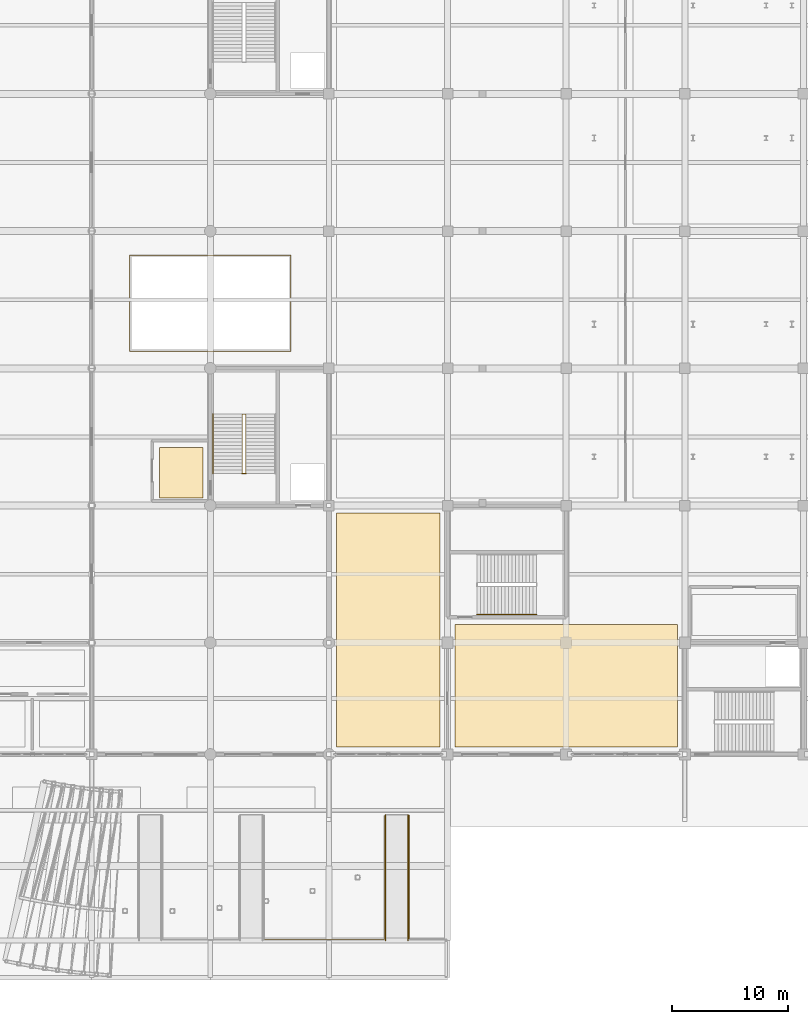
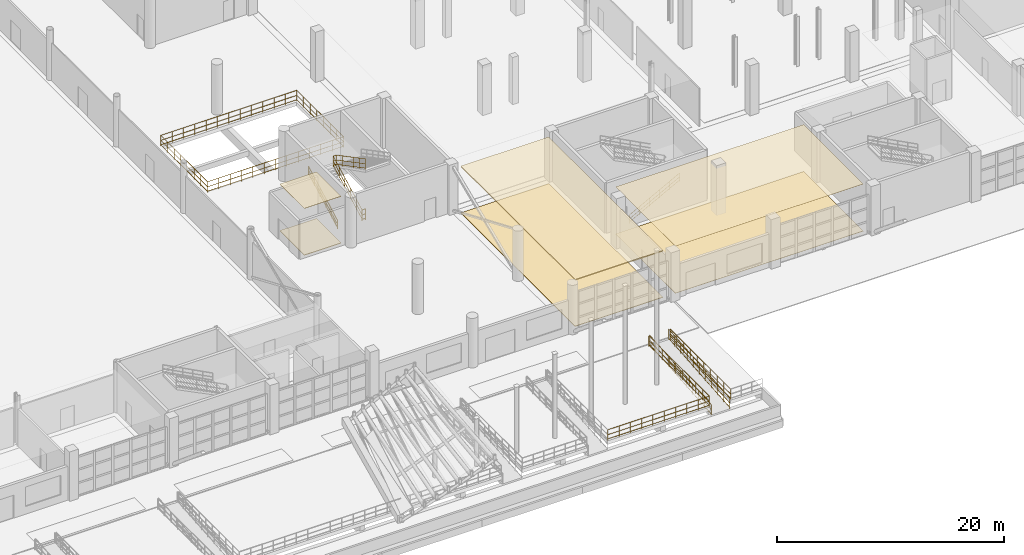
# One storey, part 117 of 124: 9 railings, 6 coverings.
"""IFC4 building model written with IfcOpenShell, lengths in metres."""

from ifc_helpers import new_model, si_unit, direction, frame, origin, origin_2d, place, context, subcontext, project, spatial, polyline, circle, outline, extrude, material, layer, layer_set, type_object, element, save


model = new_model("IFC4")

# Units and contexts
model_context = context("Model", 3, precision=1e-05, world=origin(), true_north=direction((0.0, 1.0)))
body_context = subcontext(model_context, "Body", "Model", "MODEL_VIEW")
ifc_project = project(units=[si_unit("LENGTHUNIT", "METRE"), si_unit("AREAUNIT", "SQUARE_METRE"), si_unit("VOLUMEUNIT", "CUBIC_METRE"), si_unit("PLANEANGLEUNIT", "RADIAN"), si_unit("MASSUNIT", "GRAM", prefix="KILO")], contexts=[model_context])

# Site, building, storey
site_placement = place(None, origin())
site = spatial("IfcSite", under=ifc_project, at=site_placement, CompositionType="ELEMENT")
building_placement = place(site_placement, origin())
building = spatial("IfcBuilding", under=site, at=building_placement, Name="Brelvane Convention Centre", CompositionType="ELEMENT")
storey_placement = place(building_placement, origin())
storey = spatial("IfcBuildingStorey", under=building, at=storey_placement, Name="L00", CompositionType="ELEMENT", Elevation=0.0)

# Coverings
ifc_material_1 = material(Name="Perforated Anodised Aluminium Alloy 6063 Acoustic Baffle", Category="aluminium")
ifc_layer_1 = layer(ifc_material_1, 0.110107421875)
ifc_layer_set_1 = layer_set([ifc_layer_1], Name="Perforated Anodised Aluminium Alloy 6063 Acoustic Baffle")
covering_type_1 = type_object("IfcCoveringType", Name="Interior Finish CL-BAF-110", PredefinedType="CEILING", material=ifc_layer_set_1)
covering_1_placement = place(storey_placement, frame((0.0, 0.0, 4.969970703125)))
element("IfcCovering", 1, at=covering_1_placement, inside=storey, type_object=covering_type_1, Name="Boulevard All-Day Cafe Acoustic Ceiling (CL-BAF-110)", PredefinedType="CEILING", context=body_context, shape_type="SweptSolid", body=[
    extrude(outline(polyline([(163.830078125, 19.830078125), (172.77001953125, 19.830078125), (172.77001953125, 39.969970703125), (163.830078125, 39.969970703125), (163.830078125, 19.830078125)])), origin(), (0.0, 0.0, 1.0), 0.110107421875),
])
ifc_material_2 = material(Name="Moisture-Resistant Acoustic Gypsum Ceiling Tile Grade A")
ifc_layer_2 = layer(ifc_material_2, 0.01806640625)
ifc_layer_set_2 = layer_set([ifc_layer_2], Name="Moisture-Resistant Acoustic Gypsum Ceiling Tile Grade A")
covering_type_2 = type_object("IfcCoveringType", Name="Interior Finish CL-GYP-18", PredefinedType="CEILING", material=ifc_layer_set_2)
covering_2_placement = place(storey_placement, frame((0.0, 0.0, 5.06201171875)))
element("IfcCovering", 2, at=covering_2_placement, inside=storey, type_object=covering_type_2, Name="Delegate Restaurant Ground Acoustic Ceiling (CL-GYP-18)", PredefinedType="CEILING", context=body_context, shape_type="SweptSolid", body=[
    extrude(outline(polyline([(174.030029296875, 19.830078125), (193.169921875, 19.830078125), (193.169921875, 30.3701171875), (174.030029296875, 30.3701171875), (174.030029296875, 19.830078125)])), origin(), (0.0, 0.0, 1.0), 0.01806640625),
])
ifc_material_3 = material(Name="Moisture-Resistant Acoustic Gypsum Ceiling Tile Grade A")
ifc_layer_3 = layer(ifc_material_3, 0.0419921875)
ifc_layer_set_3 = layer_set([ifc_layer_3], Name="Moisture-Resistant Acoustic Gypsum Ceiling Tile Grade A")
covering_type_3 = type_object("IfcCoveringType", Name="Interior Finish CL-GYP-42", PredefinedType="CEILING", material=ifc_layer_set_3)
covering_3_placement = place(storey_placement, frame((0.0, 0.0, 5.028076171875)))
element("IfcCovering", 3, at=covering_3_placement, inside=storey, type_object=covering_type_3, Name="Firefighting Lift Lobby C3 Acoustic Ceiling (CL-GYP-42)", PredefinedType="CEILING", context=body_context, shape_type="SweptSolid", body=[
    extrude(outline(polyline([(148.6298828125, 41.22998046875), (152.3701171875, 41.22998046875), (152.3701171875, 45.570068359375), (148.6298828125, 45.570068359375), (148.6298828125, 41.22998046875)])), origin(), (0.0, 0.0, 1.0), 0.0419921875),
])
ifc_material_4 = material(Name="Solution-Dyed Heavy Contract Wool Carpet Class 1")
ifc_layer_4 = layer(ifc_material_4, 0.02197265625)
ifc_layer_set_4 = layer_set([ifc_layer_4], Name="Solution-Dyed Heavy Contract Wool Carpet Class 1")
covering_type_4 = type_object("IfcCoveringType", Name="Interior Finish FL-CPT-22", PredefinedType="FLOORING", material=ifc_layer_set_4)
covering_4_placement = place(storey_placement, origin())
element("IfcCovering", 4, at=covering_4_placement, inside=storey, type_object=covering_type_4, Name="Delegate Restaurant Ground Floor Finish (FL-CPT-22)", PredefinedType="FLOORING", context=body_context, shape_type="SweptSolid", body=[
    extrude(outline(polyline([(174.030029296875, 19.830078125), (193.169921875, 19.830078125), (193.169921875, 30.3701171875), (174.030029296875, 30.3701171875), (174.030029296875, 19.830078125)])), origin(), (0.0, 0.0, 1.0), 0.02197265625),
])
ifc_material_5 = material(Name="Heavy-Duty Quartz-Filled Industrial Epoxy Screed Grade A")
ifc_layer_5 = layer(ifc_material_5, 0.044921875)
ifc_layer_set_5 = layer_set([ifc_layer_5], Name="Heavy-Duty Quartz-Filled Industrial Epoxy Screed Grade A")
covering_type_5 = type_object("IfcCoveringType", Name="Interior Finish FL-EPX-45", PredefinedType="FLOORING", material=ifc_layer_set_5)
covering_5_placement = place(storey_placement, origin())
element("IfcCovering", 5, at=covering_5_placement, inside=storey, type_object=covering_type_5, Name="Boulevard All-Day Cafe Floor Finish (FL-EPX-45)", PredefinedType="FLOORING", context=body_context, shape_type="SweptSolid", body=[
    extrude(outline(polyline([(163.830078125, 19.830078125), (172.77001953125, 19.830078125), (172.77001953125, 39.969970703125), (163.830078125, 39.969970703125), (163.830078125, 19.830078125)])), origin(), (0.0, 0.0, 1.0), 0.044921875),
])
ifc_material_6 = material(Name="Polished Basalt-Aggregate Terrazzo Screed Concrete M30", Category="masonry")
ifc_layer_6 = layer(ifc_material_6, 0.054931640625)
ifc_layer_set_6 = layer_set([ifc_layer_6], Name="Polished Basalt-Aggregate Terrazzo Screed Concrete M30")
covering_type_6 = type_object("IfcCoveringType", Name="Interior Finish FL-STN-55", PredefinedType="FLOORING", material=ifc_layer_set_6)
covering_6_placement = place(storey_placement, origin())
element("IfcCovering", 6, at=covering_6_placement, inside=storey, type_object=covering_type_6, Name="Firefighting Lift Lobby C3 Floor Finish (FL-STN-55)", PredefinedType="FLOORING", context=body_context, shape_type="SweptSolid", body=[
    extrude(outline(polyline([(148.6298828125, 41.22998046875), (152.3701171875, 41.22998046875), (152.3701171875, 45.570068359375), (148.6298828125, 45.570068359375), (148.6298828125, 41.22998046875)])), origin(), (0.0, 0.0, 1.0), 0.054931640625),
])

# Railings
ifc_material_7 = material(Name="Steel E350 (350 MPa)", Category="steel")
railing_type_1 = type_object("IfcRailingType", Name="Railing BL-ATR-1", PredefinedType="BALUSTRADE", material=ifc_material_7)
railing_1_placement = place(storey_placement, frame((146.080078125, 53.8798828125, 0.0)))
element("IfcRailing", 7, at=railing_1_placement, inside=storey, type_object=railing_type_1, Name="Railing BL-ATR-1 L00-atrium_well_01", PredefinedType="BALUSTRADE", context=body_context, shape_type="SweptSolid", body=[
    extrude(circle(Radius=0.02392578125, at=origin_2d()), frame((0.0, 0.0, 1.15576171875), z_axis=(1.0, 0.0, 0.0), x_axis=(0.0, 1.0, 0.0)), (0.0, 0.0, 1.0), 13.83984375),
    extrude(circle(Radius=0.02392578125, at=origin_2d()), frame((0.0, 0.0, 0.613525390625), z_axis=(1.0, 0.0, 0.0), x_axis=(0.0, 1.0, 0.0)), (0.0, 0.0, 1.0), 13.83984375),
    extrude(circle(Radius=0.02392578125, at=origin_2d()), frame((0.0, 0.0, 0.139892578125), z_axis=(1.0, 0.0, 0.0), x_axis=(0.0, 1.0, 0.0)), (0.0, 0.0, 1.0), 13.83984375),
    extrude(circle(Radius=0.02392578125, at=origin_2d()), frame((13.83984375, 0.0, 1.15576171875), z_axis=(0.0, 1.0, 0.0), x_axis=(-1.0, 0.0, 0.0)), (0.0, 0.0, 1.0), 8.240234375),
    extrude(circle(Radius=0.02392578125, at=origin_2d()), frame((13.83984375, 0.0, 0.613525390625), z_axis=(0.0, 1.0, 0.0), x_axis=(-1.0, 0.0, 0.0)), (0.0, 0.0, 1.0), 8.240234375),
    extrude(circle(Radius=0.02392578125, at=origin_2d()), frame((13.83984375, 0.0, 0.139892578125), z_axis=(0.0, 1.0, 0.0), x_axis=(-1.0, 0.0, 0.0)), (0.0, 0.0, 1.0), 8.240234375),
    extrude(circle(Radius=0.02392578125, at=origin_2d()), frame((13.83984375, 8.240234375, 1.15576171875), z_axis=(-1.0, 0.0, 0.0), x_axis=(0.0, -1.0, 0.0)), (0.0, 0.0, 1.0), 13.83984375),
    extrude(circle(Radius=0.02392578125, at=origin_2d()), frame((13.83984375, 8.240234375, 0.613525390625), z_axis=(-1.0, 0.0, 0.0), x_axis=(0.0, -1.0, 0.0)), (0.0, 0.0, 1.0), 13.83984375),
    extrude(circle(Radius=0.02392578125, at=origin_2d()), frame((13.83984375, 8.240234375, 0.139892578125), z_axis=(-1.0, 0.0, 0.0), x_axis=(0.0, -1.0, 0.0)), (0.0, 0.0, 1.0), 13.83984375),
    extrude(circle(Radius=0.02392578125, at=origin_2d()), frame((0.0, 8.240234375, 1.15576171875), z_axis=(0.0, -1.0, 0.0), x_axis=(1.0, 0.0, 0.0)), (0.0, 0.0, 1.0), 8.235107421875),
    extrude(circle(Radius=0.02392578125, at=origin_2d()), frame((0.0, 8.240234375, 0.613525390625), z_axis=(0.0, -1.0, 0.0), x_axis=(1.0, 0.0, 0.0)), (0.0, 0.0, 1.0), 8.235107421875),
    extrude(circle(Radius=0.02392578125, at=origin_2d()), frame((0.0, 8.240234375, 0.139892578125), z_axis=(0.0, -1.0, 0.0), x_axis=(1.0, 0.0, 0.0)), (0.0, 0.0, 1.0), 8.235107421875),
    extrude(circle(Radius=0.02099609375, at=origin_2d()), origin(), (0.0, 0.0, 1.0), 1.1318359375),
    extrude(circle(Radius=0.02099609375, at=origin_2d()), frame((1.1533203125, 0.0, 0.0)), (0.0, 0.0, 1.0), 1.1318359375),
    extrude(circle(Radius=0.02099609375, at=origin_2d()), frame((2.306640625, 0.0, 0.0)), (0.0, 0.0, 1.0), 1.1318359375),
    extrude(circle(Radius=0.02099609375, at=origin_2d()), frame((3.4599609375, 0.0, 0.0)), (0.0, 0.0, 1.0), 1.1318359375),
    extrude(circle(Radius=0.02099609375, at=origin_2d()), frame((4.61328125, 0.0, 0.0)), (0.0, 0.0, 1.0), 1.1318359375),
    extrude(circle(Radius=0.02099609375, at=origin_2d()), frame((5.7666015625, 0.0, 0.0)), (0.0, 0.0, 1.0), 1.1318359375),
    extrude(circle(Radius=0.02099609375, at=origin_2d()), frame((6.919921875, 0.0, 0.0)), (0.0, 0.0, 1.0), 1.1318359375),
    extrude(circle(Radius=0.02099609375, at=origin_2d()), frame((8.0732421875, 0.0, 0.0)), (0.0, 0.0, 1.0), 1.1318359375),
    extrude(circle(Radius=0.02099609375, at=origin_2d()), frame((9.2265625, 0.0, 0.0)), (0.0, 0.0, 1.0), 1.1318359375),
    extrude(circle(Radius=0.02099609375, at=origin_2d()), frame((10.3798828125, 0.0, 0.0)), (0.0, 0.0, 1.0), 1.1318359375),
    extrude(circle(Radius=0.02099609375, at=origin_2d()), frame((11.533203125, 0.0, 0.0)), (0.0, 0.0, 1.0), 1.1318359375),
    extrude(circle(Radius=0.02099609375, at=origin_2d()), frame((12.6865234375, 0.0, 0.0)), (0.0, 0.0, 1.0), 1.1318359375),
    extrude(circle(Radius=0.02099609375, at=origin_2d()), frame((13.83984375, 0.0, 0.0)), (0.0, 0.0, 1.0), 1.1318359375),
    extrude(circle(Radius=0.02099609375, at=origin_2d()), frame((13.83984375, 1.17724609375, 0.0)), (0.0, 0.0, 1.0), 1.1318359375),
    extrude(circle(Radius=0.02099609375, at=origin_2d()), frame((13.83984375, 2.354248046875, 0.0)), (0.0, 0.0, 1.0), 1.1318359375),
    extrude(circle(Radius=0.02099609375, at=origin_2d()), frame((13.83984375, 3.531494140625, 0.0)), (0.0, 0.0, 1.0), 1.1318359375),
    extrude(circle(Radius=0.02099609375, at=origin_2d()), frame((13.83984375, 4.708740234375, 0.0)), (0.0, 0.0, 1.0), 1.1318359375),
    extrude(circle(Radius=0.02099609375, at=origin_2d()), frame((13.83984375, 5.885986328125, 0.0)), (0.0, 0.0, 1.0), 1.1318359375),
    extrude(circle(Radius=0.02099609375, at=origin_2d()), frame((13.83984375, 7.06298828125, 0.0)), (0.0, 0.0, 1.0), 1.1318359375),
    extrude(circle(Radius=0.02099609375, at=origin_2d()), frame((13.83984375, 8.240234375, 0.0)), (0.0, 0.0, 1.0), 1.1318359375),
    extrude(circle(Radius=0.02099609375, at=origin_2d()), frame((12.6865234375, 8.240234375, 0.0)), (0.0, 0.0, 1.0), 1.1318359375),
    extrude(circle(Radius=0.02099609375, at=origin_2d()), frame((11.533203125, 8.240234375, 0.0)), (0.0, 0.0, 1.0), 1.1318359375),
    extrude(circle(Radius=0.02099609375, at=origin_2d()), frame((10.3798828125, 8.240234375, 0.0)), (0.0, 0.0, 1.0), 1.1318359375),
    extrude(circle(Radius=0.02099609375, at=origin_2d()), frame((9.2265625, 8.240234375, 0.0)), (0.0, 0.0, 1.0), 1.1318359375),
    extrude(circle(Radius=0.02099609375, at=origin_2d()), frame((8.0732421875, 8.240234375, 0.0)), (0.0, 0.0, 1.0), 1.1318359375),
    extrude(circle(Radius=0.02099609375, at=origin_2d()), frame((6.919921875, 8.240234375, 0.0)), (0.0, 0.0, 1.0), 1.1318359375),
    extrude(circle(Radius=0.02099609375, at=origin_2d()), frame((5.7666015625, 8.240234375, 0.0)), (0.0, 0.0, 1.0), 1.1318359375),
    extrude(circle(Radius=0.02099609375, at=origin_2d()), frame((4.61328125, 8.240234375, 0.0)), (0.0, 0.0, 1.0), 1.1318359375),
    extrude(circle(Radius=0.02099609375, at=origin_2d()), frame((3.4599609375, 8.240234375, 0.0)), (0.0, 0.0, 1.0), 1.1318359375),
    extrude(circle(Radius=0.02099609375, at=origin_2d()), frame((2.306640625, 8.240234375, 0.0)), (0.0, 0.0, 1.0), 1.1318359375),
    extrude(circle(Radius=0.02099609375, at=origin_2d()), frame((1.1533203125, 8.240234375, 0.0)), (0.0, 0.0, 1.0), 1.1318359375),
    extrude(circle(Radius=0.02099609375, at=origin_2d()), frame((0.0, 8.240234375, 0.0)), (0.0, 0.0, 1.0), 1.1318359375),
    extrude(circle(Radius=0.02099609375, at=origin_2d()), frame((0.0, 7.063720703125, 0.0)), (0.0, 0.0, 1.0), 1.1318359375),
    extrude(circle(Radius=0.02099609375, at=origin_2d()), frame((0.0, 5.887451171875, 0.0)), (0.0, 0.0, 1.0), 1.1318359375),
    extrude(circle(Radius=0.02099609375, at=origin_2d()), frame((0.0, 4.7109375, 0.0)), (0.0, 0.0, 1.0), 1.1318359375),
    extrude(circle(Radius=0.02099609375, at=origin_2d()), frame((0.0, 3.534423828125, 0.0)), (0.0, 0.0, 1.0), 1.1318359375),
    extrude(circle(Radius=0.02099609375, at=origin_2d()), frame((0.0, 2.35791015625, 0.0)), (0.0, 0.0, 1.0), 1.1318359375),
    extrude(circle(Radius=0.02099609375, at=origin_2d()), frame((0.0, 1.181640625, 0.0)), (0.0, 0.0, 1.0), 1.1318359375),
    extrude(circle(Radius=0.02099609375, at=origin_2d()), frame((0.0, 0.005126953125, 0.0)), (0.0, 0.0, 1.0), 1.1318359375),
])
ifc_material_8 = material(Name="Steel E350 (350 MPa)", Category="steel")
railing_type_2 = type_object("IfcRailingType", Name="Railing GR-EXT-1", PredefinedType="GUARDRAIL", material=ifc_material_8)
railing_2_placement = place(storey_placement, frame((157.60009765625, 3.280029296875, 0.0)))
element("IfcRailing", 8, at=railing_2_placement, inside=storey, type_object=railing_type_2, Name="Railing GR-EXT-1 L00-plaza_step_seg_5", PredefinedType="GUARDRAIL", context=body_context, shape_type="SweptSolid", body=[
    extrude(circle(Radius=0.02392578125, at=origin_2d()), frame((0.0, 0.0, 1.1259765625), z_axis=(1.0, 0.0, 0.0), x_axis=(0.0, 1.0, 0.0)), (0.0, 0.0, 1.0), 10.33984375),
    extrude(circle(Radius=0.02392578125, at=origin_2d()), frame((0.0, 0.0, 0.597900390625), z_axis=(1.0, 0.0, 0.0), x_axis=(0.0, 1.0, 0.0)), (0.0, 0.0, 1.0), 10.33984375),
    extrude(circle(Radius=0.02392578125, at=origin_2d()), frame((0.0, 0.0, 0.139892578125), z_axis=(1.0, 0.0, 0.0), x_axis=(0.0, 1.0, 0.0)), (0.0, 0.0, 1.0), 10.33984375),
    extrude(circle(Radius=0.02392578125, at=origin_2d()), frame((10.33984375, 0.0, 1.1259765625), z_axis=(0.0, 1.0, 0.0), x_axis=(-1.0, 0.0, 0.0)), (0.0, 0.0, 1.0), 10.659912109375),
    extrude(circle(Radius=0.02392578125, at=origin_2d()), frame((10.33984375, 0.0, 0.597900390625), z_axis=(0.0, 1.0, 0.0), x_axis=(-1.0, 0.0, 0.0)), (0.0, 0.0, 1.0), 10.659912109375),
    extrude(circle(Radius=0.02392578125, at=origin_2d()), frame((10.33984375, 0.0, 0.139892578125), z_axis=(0.0, 1.0, 0.0), x_axis=(-1.0, 0.0, 0.0)), (0.0, 0.0, 1.0), 10.659912109375),
    extrude(circle(Radius=0.02099609375, at=origin_2d()), origin(), (0.0, 0.0, 1.0), 1.101806640625),
    extrude(circle(Radius=0.02099609375, at=origin_2d()), frame((1.14892578125, 0.0, 0.0)), (0.0, 0.0, 1.0), 1.101806640625),
    extrude(circle(Radius=0.02099609375, at=origin_2d()), frame((2.2978515625, 0.0, 0.0)), (0.0, 0.0, 1.0), 1.101806640625),
    extrude(circle(Radius=0.02099609375, at=origin_2d()), frame((3.446533203125, 0.0, 0.0)), (0.0, 0.0, 1.0), 1.101806640625),
    extrude(circle(Radius=0.02099609375, at=origin_2d()), frame((4.595458984375, 0.0, 0.0)), (0.0, 0.0, 1.0), 1.101806640625),
    extrude(circle(Radius=0.02099609375, at=origin_2d()), frame((5.744384765625, 0.0, 0.0)), (0.0, 0.0, 1.0), 1.101806640625),
    extrude(circle(Radius=0.02099609375, at=origin_2d()), frame((6.893310546875, 0.0, 0.0)), (0.0, 0.0, 1.0), 1.101806640625),
    extrude(circle(Radius=0.02099609375, at=origin_2d()), frame((8.0419921875, 0.0, 0.0)), (0.0, 0.0, 1.0), 1.101806640625),
    extrude(circle(Radius=0.02099609375, at=origin_2d()), frame((9.19091796875, 0.0, 0.0)), (0.0, 0.0, 1.0), 1.101806640625),
    extrude(circle(Radius=0.02099609375, at=origin_2d()), frame((10.33984375, 0.0, 0.0)), (0.0, 0.0, 1.0), 1.101806640625),
    extrude(circle(Radius=0.02099609375, at=origin_2d()), frame((10.33984375, 1.184326171875, 0.0)), (0.0, 0.0, 1.0), 1.101806640625),
    extrude(circle(Radius=0.02099609375, at=origin_2d()), frame((10.33984375, 2.368896484375, 0.0)), (0.0, 0.0, 1.0), 1.101806640625),
    extrude(circle(Radius=0.02099609375, at=origin_2d()), frame((10.33984375, 3.55322265625, 0.0)), (0.0, 0.0, 1.0), 1.101806640625),
    extrude(circle(Radius=0.02099609375, at=origin_2d()), frame((10.33984375, 4.73779296875, 0.0)), (0.0, 0.0, 1.0), 1.101806640625),
    extrude(circle(Radius=0.02099609375, at=origin_2d()), frame((10.33984375, 5.922119140625, 0.0)), (0.0, 0.0, 1.0), 1.101806640625),
    extrude(circle(Radius=0.02099609375, at=origin_2d()), frame((10.33984375, 7.106689453125, 0.0)), (0.0, 0.0, 1.0), 1.101806640625),
    extrude(circle(Radius=0.02099609375, at=origin_2d()), frame((10.33984375, 8.291015625, 0.0)), (0.0, 0.0, 1.0), 1.101806640625),
    extrude(circle(Radius=0.02099609375, at=origin_2d()), frame((10.33984375, 9.4755859375, 0.0)), (0.0, 0.0, 1.0), 1.101806640625),
    extrude(circle(Radius=0.02099609375, at=origin_2d()), frame((10.33984375, 10.659912109375, 0.0)), (0.0, 0.0, 1.0), 1.101806640625),
])
railing_3_placement = place(storey_placement, frame((170.10009765625, 13.93994140625, 0.0)))
element("IfcRailing", 9, at=railing_3_placement, inside=storey, type_object=railing_type_2, Name="Railing GR-EXT-1 L00-plaza_ramp_e_5", PredefinedType="GUARDRAIL", context=body_context, shape_type="SweptSolid", body=[
    extrude(circle(Radius=0.02392578125, at=origin_2d()), frame((0.0, 0.0, 1.1259765625), z_axis=(0.0, -1.0, 0.0), x_axis=(1.0, 0.0, 0.0)), (0.0, 0.0, 1.0), 10.659912109375),
    extrude(circle(Radius=0.02392578125, at=origin_2d()), frame((0.0, 0.0, 0.597900390625), z_axis=(0.0, -1.0, 0.0), x_axis=(1.0, 0.0, 0.0)), (0.0, 0.0, 1.0), 10.659912109375),
    extrude(circle(Radius=0.02392578125, at=origin_2d()), frame((0.0, 0.0, 0.139892578125), z_axis=(0.0, -1.0, 0.0), x_axis=(1.0, 0.0, 0.0)), (0.0, 0.0, 1.0), 10.659912109375),
    extrude(circle(Radius=0.02099609375, at=origin_2d()), origin(), (0.0, 0.0, 1.0), 1.101806640625),
    extrude(circle(Radius=0.02099609375, at=origin_2d()), frame((0.0, -1.184326171875, 0.0)), (0.0, 0.0, 1.0), 1.101806640625),
    extrude(circle(Radius=0.02099609375, at=origin_2d()), frame((0.0, -2.368896484375, 0.0)), (0.0, 0.0, 1.0), 1.101806640625),
    extrude(circle(Radius=0.02099609375, at=origin_2d()), frame((0.0, -3.55322265625, 0.0)), (0.0, 0.0, 1.0), 1.101806640625),
    extrude(circle(Radius=0.02099609375, at=origin_2d()), frame((0.0, -4.73779296875, 0.0)), (0.0, 0.0, 1.0), 1.101806640625),
    extrude(circle(Radius=0.02099609375, at=origin_2d()), frame((0.0, -5.922119140625, 0.0)), (0.0, 0.0, 1.0), 1.101806640625),
    extrude(circle(Radius=0.02099609375, at=origin_2d()), frame((0.0, -7.106689453125, 0.0)), (0.0, 0.0, 1.0), 1.101806640625),
    extrude(circle(Radius=0.02099609375, at=origin_2d()), frame((0.0, -8.291015625, 0.0)), (0.0, 0.0, 1.0), 1.101806640625),
    extrude(circle(Radius=0.02099609375, at=origin_2d()), frame((0.0, -9.4755859375, 0.0)), (0.0, 0.0, 1.0), 1.101806640625),
    extrude(circle(Radius=0.02099609375, at=origin_2d()), frame((0.0, -10.659912109375, 0.0)), (0.0, 0.0, 1.0), 1.101806640625),
])
railing_4_placement = place(storey_placement, frame((168.06005859375, 3.199951171875, -0.89990234375)))
element("IfcRailing", 10, at=railing_4_placement, inside=storey, type_object=railing_type_2, Name="Ramp AR-05 Sloped Guard (W)", PredefinedType="GUARDRAIL", context=body_context, shape_type="SweptSolid", body=[
    extrude(circle(Radius=0.02392578125, at=origin_2d()), frame((0.0, 0.0, 1.1259765625), z_axis=(0.0, 0.99654653501, 0.083036158149), x_axis=(-1.0, 0.0, 0.0)), (0.0, 0.0, 1.0), 10.83740234375),
    extrude(circle(Radius=0.02392578125, at=origin_2d()), frame((0.0, 0.0, 0.597900390625), z_axis=(0.0, 0.99654653501, 0.083036158149), x_axis=(-1.0, 0.0, 0.0)), (0.0, 0.0, 1.0), 10.83740234375),
    extrude(circle(Radius=0.02392578125, at=origin_2d()), frame((0.0, 0.0, 0.139892578125), z_axis=(0.0, 0.99654653501, 0.083036158149), x_axis=(-1.0, 0.0, 0.0)), (0.0, 0.0, 1.0), 10.83740234375),
    extrude(circle(Radius=0.02099609375, at=origin_2d()), origin(), (0.0, 0.0, 1.0), 1.101806640625),
    extrude(circle(Radius=0.02099609375, at=origin_2d()), frame((0.0, 1.080078125, 0.090087890625)), (0.0, 0.0, 1.0), 1.101806640625),
    extrude(circle(Radius=0.02099609375, at=origin_2d()), frame((0.0, 2.159912109375, 0.179931640625)), (0.0, 0.0, 1.0), 1.101806640625),
    extrude(circle(Radius=0.02099609375, at=origin_2d()), frame((0.0, 3.239990234375, 0.27001953125)), (0.0, 0.0, 1.0), 1.101806640625),
    extrude(circle(Radius=0.02099609375, at=origin_2d()), frame((0.0, 4.320068359375, 0.35986328125)), (0.0, 0.0, 1.0), 1.101806640625),
    extrude(circle(Radius=0.02099609375, at=origin_2d()), frame((0.0, 5.39990234375, 0.449951171875)), (0.0, 0.0, 1.0), 1.101806640625),
    extrude(circle(Radius=0.02099609375, at=origin_2d()), frame((0.0, 6.47998046875, 0.5400390625)), (0.0, 0.0, 1.0), 1.101806640625),
    extrude(circle(Radius=0.02099609375, at=origin_2d()), frame((0.0, 7.56005859375, 0.6298828125)), (0.0, 0.0, 1.0), 1.101806640625),
    extrude(circle(Radius=0.02099609375, at=origin_2d()), frame((0.0, 8.64013671875, 0.719970703125)), (0.0, 0.0, 1.0), 1.101806640625),
    extrude(circle(Radius=0.02099609375, at=origin_2d()), frame((0.0, 9.719970703125, 0.809814453125)), (0.0, 0.0, 1.0), 1.101806640625),
    extrude(circle(Radius=0.02099609375, at=origin_2d()), frame((0.0, 10.800048828125, 0.89990234375)), (0.0, 0.0, 1.0), 1.101806640625),
])
railing_5_placement = place(storey_placement, frame((169.97998046875, 3.199951171875, -0.89990234375)))
element("IfcRailing", 11, at=railing_5_placement, inside=storey, type_object=railing_type_2, Name="Ramp AR-05 Sloped Guard (E)", PredefinedType="GUARDRAIL", context=body_context, shape_type="SweptSolid", body=[
    extrude(circle(Radius=0.02392578125, at=origin_2d()), frame((0.0, 0.0, 1.1259765625), z_axis=(0.0, 0.99654653501, 0.083036158149), x_axis=(-1.0, 0.0, 0.0)), (0.0, 0.0, 1.0), 10.83740234375),
    extrude(circle(Radius=0.02392578125, at=origin_2d()), frame((0.0, 0.0, 0.597900390625), z_axis=(0.0, 0.99654653501, 0.083036158149), x_axis=(-1.0, 0.0, 0.0)), (0.0, 0.0, 1.0), 10.83740234375),
    extrude(circle(Radius=0.02392578125, at=origin_2d()), frame((0.0, 0.0, 0.139892578125), z_axis=(0.0, 0.99654653501, 0.083036158149), x_axis=(-1.0, 0.0, 0.0)), (0.0, 0.0, 1.0), 10.83740234375),
    extrude(circle(Radius=0.02099609375, at=origin_2d()), origin(), (0.0, 0.0, 1.0), 1.101806640625),
    extrude(circle(Radius=0.02099609375, at=origin_2d()), frame((0.0, 1.080078125, 0.090087890625)), (0.0, 0.0, 1.0), 1.101806640625),
    extrude(circle(Radius=0.02099609375, at=origin_2d()), frame((0.0, 2.159912109375, 0.179931640625)), (0.0, 0.0, 1.0), 1.101806640625),
    extrude(circle(Radius=0.02099609375, at=origin_2d()), frame((0.0, 3.239990234375, 0.27001953125)), (0.0, 0.0, 1.0), 1.101806640625),
    extrude(circle(Radius=0.02099609375, at=origin_2d()), frame((0.0, 4.320068359375, 0.35986328125)), (0.0, 0.0, 1.0), 1.101806640625),
    extrude(circle(Radius=0.02099609375, at=origin_2d()), frame((0.0, 5.39990234375, 0.449951171875)), (0.0, 0.0, 1.0), 1.101806640625),
    extrude(circle(Radius=0.02099609375, at=origin_2d()), frame((0.0, 6.47998046875, 0.5400390625)), (0.0, 0.0, 1.0), 1.101806640625),
    extrude(circle(Radius=0.02099609375, at=origin_2d()), frame((0.0, 7.56005859375, 0.6298828125)), (0.0, 0.0, 1.0), 1.101806640625),
    extrude(circle(Radius=0.02099609375, at=origin_2d()), frame((0.0, 8.64013671875, 0.719970703125)), (0.0, 0.0, 1.0), 1.101806640625),
    extrude(circle(Radius=0.02099609375, at=origin_2d()), frame((0.0, 9.719970703125, 0.809814453125)), (0.0, 0.0, 1.0), 1.101806640625),
    extrude(circle(Radius=0.02099609375, at=origin_2d()), frame((0.0, 10.800048828125, 0.89990234375)), (0.0, 0.0, 1.0), 1.101806640625),
])
ifc_material_9 = material(Name="Steel E350 (350 MPa)", Category="steel")
railing_type_3 = type_object("IfcRailingType", Name="Stair Railing GR-ST-1", PredefinedType="GUARDRAIL", material=ifc_material_9)
railing_6_placement = place(storey_placement, frame((155.739990234375, 43.35009765625, -0.02001953125)))
element("IfcRailing", 12, at=railing_6_placement, inside=storey, type_object=railing_type_3, Name="Stair ST-03 L00 Inner Well Guard", PredefinedType="GUARDRAIL", context=body_context, shape_type="SweptSolid", body=[
    extrude(circle(Radius=0.02392578125, at=origin_2d()), frame((0.0, 0.0, 1.1259765625), z_axis=(0.0, 0.88234943334, 0.470594812429), x_axis=(-1.0, 0.0, 0.0)), (0.0, 0.0, 1.0), 5.77978515625),
    extrude(circle(Radius=0.02392578125, at=origin_2d()), frame((0.0, 0.0, 0.597900390625), z_axis=(0.0, 0.88234943334, 0.470594812429), x_axis=(-1.0, 0.0, 0.0)), (0.0, 0.0, 1.0), 5.77978515625),
    extrude(circle(Radius=0.02392578125, at=origin_2d()), frame((0.0, 0.0, 0.139892578125), z_axis=(0.0, 0.88234943334, 0.470594812429), x_axis=(-1.0, 0.0, 0.0)), (0.0, 0.0, 1.0), 5.77978515625),
    extrude(circle(Radius=0.02392578125, at=origin_2d()), frame((0.0, 5.099853515625, 3.845947265625), z_axis=(1.0, 0.0, 0.0), x_axis=(0.0, 1.0, 0.0)), (0.0, 0.0, 1.0), 0.320068359375),
    extrude(circle(Radius=0.02392578125, at=origin_2d()), frame((0.0, 5.099853515625, 3.31787109375), z_axis=(1.0, 0.0, 0.0), x_axis=(0.0, 1.0, 0.0)), (0.0, 0.0, 1.0), 0.320068359375),
    extrude(circle(Radius=0.02392578125, at=origin_2d()), frame((0.0, 5.099853515625, 2.85986328125), z_axis=(1.0, 0.0, 0.0), x_axis=(0.0, 1.0, 0.0)), (0.0, 0.0, 1.0), 0.320068359375),
    extrude(circle(Radius=0.02392578125, at=origin_2d()), frame((0.320068359375, 5.099853515625, 3.845947265625), z_axis=(0.0, -0.885218631674, 0.465175207999), x_axis=(1.0, 0.0, 0.0)), (0.0, 0.0, 1.0), 5.76123046875),
    extrude(circle(Radius=0.02392578125, at=origin_2d()), frame((0.320068359375, 5.099853515625, 3.31787109375), z_axis=(0.0, -0.885218631674, 0.465175207999), x_axis=(1.0, 0.0, 0.0)), (0.0, 0.0, 1.0), 5.76123046875),
    extrude(circle(Radius=0.02392578125, at=origin_2d()), frame((0.320068359375, 5.099853515625, 2.85986328125), z_axis=(0.0, -0.885218631674, 0.465175207999), x_axis=(1.0, 0.0, 0.0)), (0.0, 0.0, 1.0), 5.76123046875),
    extrude(circle(Radius=0.02099609375, at=origin_2d()), origin(), (0.0, 0.0, 1.0), 1.101806640625),
    extrude(circle(Radius=0.02099609375, at=origin_2d()), frame((0.0, 1.02001953125, 0.5439453125)), (0.0, 0.0, 1.0), 1.101806640625),
    extrude(circle(Radius=0.02099609375, at=origin_2d()), frame((0.0, 2.0400390625, 1.087890625)), (0.0, 0.0, 1.0), 1.101806640625),
    extrude(circle(Radius=0.02099609375, at=origin_2d()), frame((0.0, 3.059814453125, 1.632080078125)), (0.0, 0.0, 1.0), 1.101806640625),
    extrude(circle(Radius=0.02099609375, at=origin_2d()), frame((0.0, 4.079833984375, 2.176025390625)), (0.0, 0.0, 1.0), 1.101806640625),
    extrude(circle(Radius=0.02099609375, at=origin_2d()), frame((0.0, 5.099853515625, 2.719970703125)), (0.0, 0.0, 1.0), 1.101806640625),
    extrude(circle(Radius=0.02099609375, at=origin_2d()), frame((0.320068359375, 5.099853515625, 2.719970703125)), (0.0, 0.0, 1.0), 1.101806640625),
    extrude(circle(Radius=0.02099609375, at=origin_2d()), frame((0.320068359375, 4.079833984375, 3.255859375)), (0.0, 0.0, 1.0), 1.101806640625),
    extrude(circle(Radius=0.02099609375, at=origin_2d()), frame((0.320068359375, 3.059814453125, 3.7919921875)), (0.0, 0.0, 1.0), 1.101806640625),
    extrude(circle(Radius=0.02099609375, at=origin_2d()), frame((0.320068359375, 2.0400390625, 4.327880859375)), (0.0, 0.0, 1.0), 1.101806640625),
    extrude(circle(Radius=0.02099609375, at=origin_2d()), frame((0.320068359375, 1.02001953125, 4.864013671875)), (0.0, 0.0, 1.0), 1.101806640625),
    extrude(circle(Radius=0.02099609375, at=origin_2d()), frame((0.320068359375, 0.0, 5.39990234375)), (0.0, 0.0, 1.0), 1.101806640625),
])
ifc_material_10 = material(Name="Steel E350 (350 MPa)", Category="steel")
railing_type_4 = type_object("IfcRailingType", Name="Stair Railing GR-ST-2", PredefinedType="GUARDRAIL", material=ifc_material_10)
railing_7_placement = place(storey_placement, frame((155.739990234375, 43.35009765625, -0.02001953125)))
element("IfcRailing", 13, at=railing_7_placement, inside=storey, type_object=railing_type_4, Name="Stair ST-03 L00 Landing Well Guard", PredefinedType="GUARDRAIL", context=body_context, shape_type="SweptSolid", body=[
    extrude(circle(Radius=0.02392578125, at=origin_2d()), frame((0.0, 0.0, 1.15576171875), z_axis=(1.0, 0.0, 0.0), x_axis=(0.0, 1.0, 0.0)), (0.0, 0.0, 1.0), 0.320068359375),
    extrude(circle(Radius=0.02392578125, at=origin_2d()), frame((0.0, 0.0, 0.613525390625), z_axis=(1.0, 0.0, 0.0), x_axis=(0.0, 1.0, 0.0)), (0.0, 0.0, 1.0), 0.320068359375),
    extrude(circle(Radius=0.02392578125, at=origin_2d()), frame((0.0, 0.0, 0.139892578125), z_axis=(1.0, 0.0, 0.0), x_axis=(0.0, 1.0, 0.0)), (0.0, 0.0, 1.0), 0.320068359375),
    extrude(circle(Radius=0.02099609375, at=origin_2d()), origin(), (0.0, 0.0, 1.0), 1.1318359375),
    extrude(circle(Radius=0.02099609375, at=origin_2d()), frame((0.320068359375, 0.0, 0.0)), (0.0, 0.0, 1.0), 1.1318359375),
])
ifc_material_11 = material(Name="Steel E350 (350 MPa)", Category="steel")
railing_type_5 = type_object("IfcRailingType", Name="Stair Railing HR-ST-1", PredefinedType="HANDRAIL", material=ifc_material_11)
railing_8_placement = place(storey_placement, frame((153.22998046875, 43.35009765625, -0.02001953125)))
element("IfcRailing", 14, at=railing_8_placement, inside=storey, type_object=railing_type_5, Name="Stair ST-03 L00 Outer Handrail F1", PredefinedType="HANDRAIL", context=body_context, shape_type="SweptSolid", body=[
    extrude(circle(Radius=0.02392578125, at=origin_2d()), frame((0.0, 0.0, 0.89599609375), z_axis=(0.0, 0.88234943334, 0.470594812429), x_axis=(-1.0, 0.0, 0.0)), (0.0, 0.0, 1.0), 5.77978515625),
    extrude(circle(Radius=0.02392578125, at=origin_2d()), frame((0.0, 0.0, 0.478271484375), z_axis=(0.0, 0.88234943334, 0.470594812429), x_axis=(-1.0, 0.0, 0.0)), (0.0, 0.0, 1.0), 5.77978515625),
    extrude(circle(Radius=0.02392578125, at=origin_2d()), frame((0.0, 0.0, 0.139892578125), z_axis=(0.0, 0.88234943334, 0.470594812429), x_axis=(-1.0, 0.0, 0.0)), (0.0, 0.0, 1.0), 5.77978515625),
    extrude(circle(Radius=0.02099609375, at=origin_2d()), origin(), (0.0, 0.0, 1.0), 0.871826171875),
    extrude(circle(Radius=0.02099609375, at=origin_2d()), frame((0.0, 1.02001953125, 0.5439453125)), (0.0, 0.0, 1.0), 0.871826171875),
    extrude(circle(Radius=0.02099609375, at=origin_2d()), frame((0.0, 2.0400390625, 1.087890625)), (0.0, 0.0, 1.0), 0.871826171875),
    extrude(circle(Radius=0.02099609375, at=origin_2d()), frame((0.0, 3.059814453125, 1.632080078125)), (0.0, 0.0, 1.0), 0.871826171875),
    extrude(circle(Radius=0.02099609375, at=origin_2d()), frame((0.0, 4.079833984375, 2.176025390625)), (0.0, 0.0, 1.0), 0.871826171875),
    extrude(circle(Radius=0.02099609375, at=origin_2d()), frame((0.0, 5.099853515625, 2.719970703125)), (0.0, 0.0, 1.0), 0.871826171875),
])
railing_9_placement = place(storey_placement, frame((175.949951171875, 31.22998046875, -0.02001953125)))
element("IfcRailing", 15, at=railing_9_placement, inside=storey, type_object=railing_type_5, Name="Stair ST-18 L00 Outer Handrail F1", PredefinedType="HANDRAIL", context=body_context, shape_type="SweptSolid", body=[
    extrude(circle(Radius=0.02392578125, at=origin_2d()), frame((0.0, 0.0, 0.89599609375), z_axis=(0.882358787245, 0.0, 0.470577273753), x_axis=(0.0, 1.0, 0.0)), (0.0, 0.0, 1.0), 5.780029296875),
    extrude(circle(Radius=0.02392578125, at=origin_2d()), frame((0.0, 0.0, 0.478271484375), z_axis=(0.882358787245, 0.0, 0.470577273753), x_axis=(0.0, 1.0, 0.0)), (0.0, 0.0, 1.0), 5.780029296875),
    extrude(circle(Radius=0.02392578125, at=origin_2d()), frame((0.0, 0.0, 0.139892578125), z_axis=(0.882358787245, 0.0, 0.470577273753), x_axis=(0.0, 1.0, 0.0)), (0.0, 0.0, 1.0), 5.780029296875),
    extrude(circle(Radius=0.02099609375, at=origin_2d()), origin(), (0.0, 0.0, 1.0), 0.871826171875),
    extrude(circle(Radius=0.02099609375, at=origin_2d()), frame((1.02001953125, 0.0, 0.5439453125)), (0.0, 0.0, 1.0), 0.871826171875),
    extrude(circle(Radius=0.02099609375, at=origin_2d()), frame((2.0400390625, 0.0, 1.087890625)), (0.0, 0.0, 1.0), 0.871826171875),
    extrude(circle(Radius=0.02099609375, at=origin_2d()), frame((3.06005859375, 0.0, 1.632080078125)), (0.0, 0.0, 1.0), 0.871826171875),
    extrude(circle(Radius=0.02099609375, at=origin_2d()), frame((4.080078125, 0.0, 2.176025390625)), (0.0, 0.0, 1.0), 0.871826171875),
    extrude(circle(Radius=0.02099609375, at=origin_2d()), frame((5.10009765625, 0.0, 2.719970703125)), (0.0, 0.0, 1.0), 0.871826171875),
])

save(model, "model.ifc")
